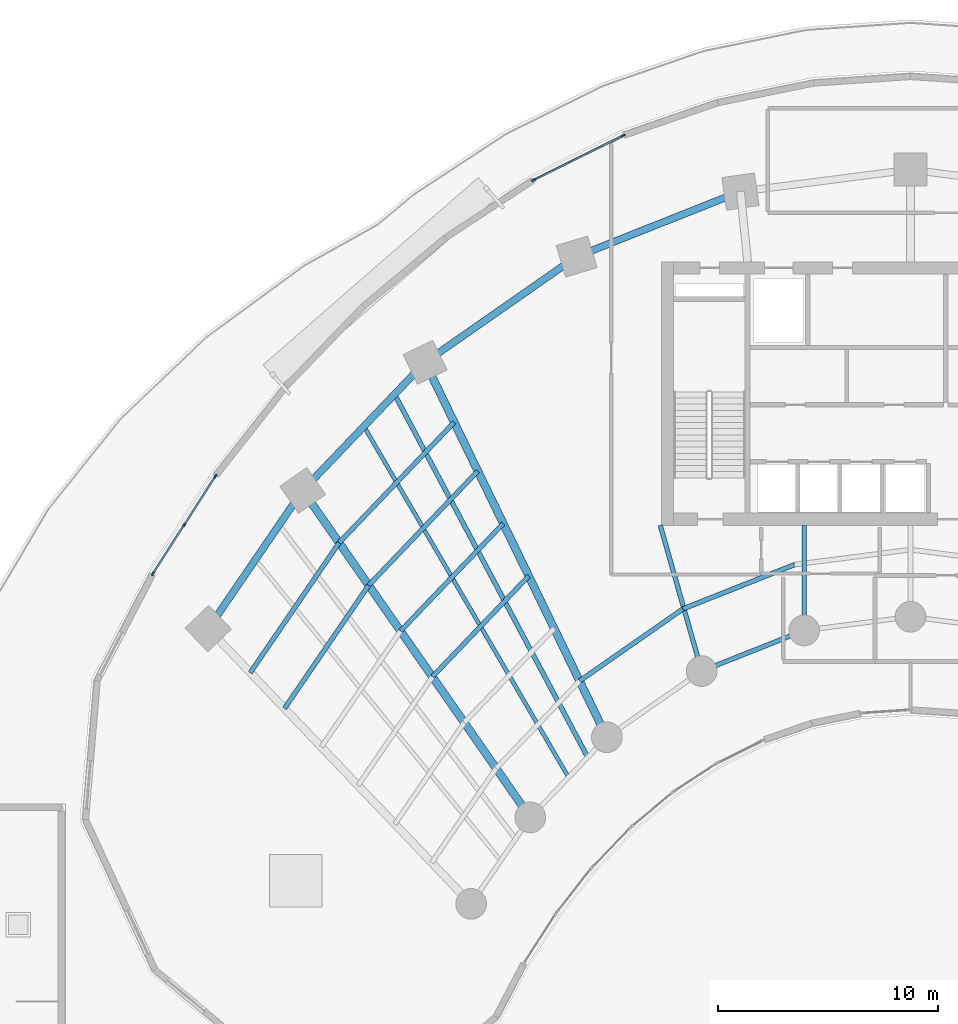
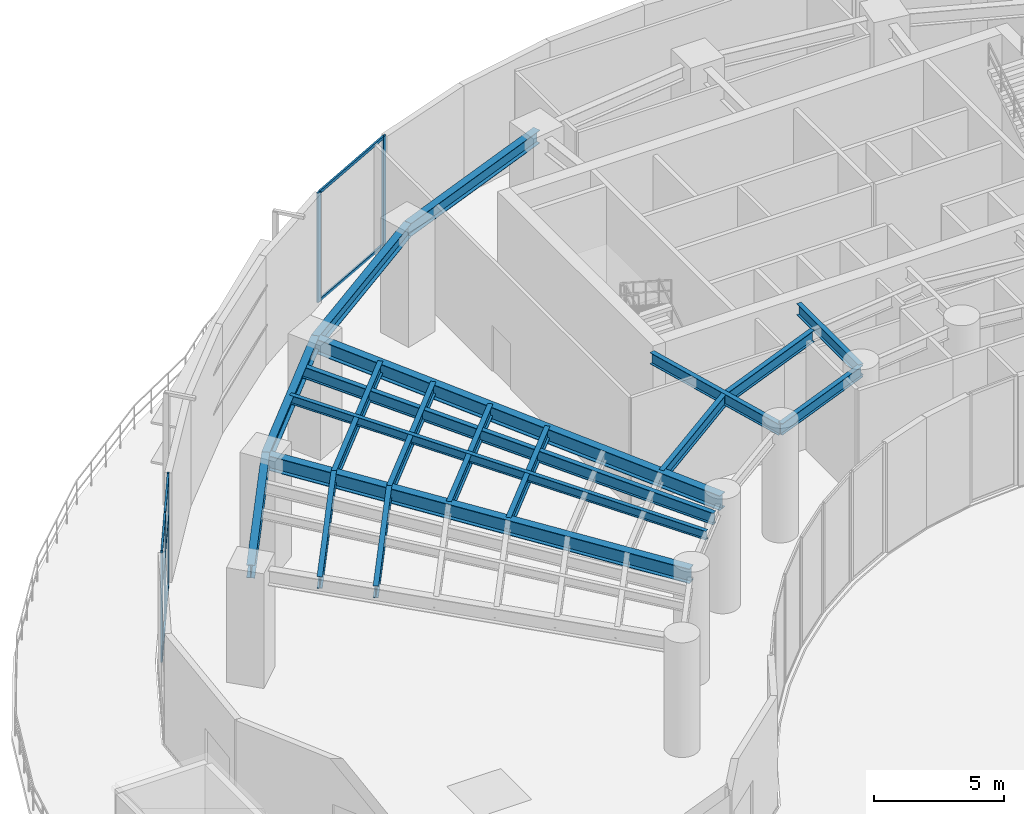
# One storey, part 4 of 17: 19 beams, 13 members, 2 elements without a shape of their own.
"""IFC4 building model written with IfcOpenShell, lengths in metres."""

from ifc_helpers import new_model, si_unit, direction, frame, origin, origin_2d, place, context, subcontext, project, spatial, rectangle, i_section, extrude, source, transform, mapped, material, layer, layer_set, material_profile, profile_set, type_object, type_shapes, element, aggregate, save


model = new_model("IFC4")

# Units and contexts
model_context = context("Model", 3, precision=1e-05, world=origin(), true_north=direction((0.0, 1.0)))
body_context = subcontext(model_context, "Body", "Model", "MODEL_VIEW")
ifc_project = project(units=[si_unit("LENGTHUNIT", "METRE"), si_unit("AREAUNIT", "SQUARE_METRE"), si_unit("VOLUMEUNIT", "CUBIC_METRE"), si_unit("PLANEANGLEUNIT", "RADIAN"), si_unit("MASSUNIT", "GRAM", prefix="KILO")], contexts=[model_context])

# Site, building, storey
site_placement = place(None, origin())
site = spatial("IfcSite", under=ifc_project, at=site_placement, CompositionType="ELEMENT")
building_placement = place(site_placement, origin())
building = spatial("IfcBuilding", under=site, at=building_placement, Name="Breltana Convention Tower", CompositionType="ELEMENT")
storey_placement = place(building_placement, frame((0.0, 0.0, 30.0)))
storey = spatial("IfcBuildingStorey", under=building, at=storey_placement, Name="L05", CompositionType="ELEMENT", Elevation=30.0)

# Beams
ifc_material_1 = material(Name="Steel ASTM A992 Grade 50", Category="steel")
ifc_material_profile_1 = material_profile(ifc_material_1, i_section(OverallWidth=0.323974609375, OverallDepth=0.611083984375, WebThickness=0.0126953125, FlangeThickness=0.01904296875, at=origin_2d()), Name="W24X104")
ifc_profile_set_1 = profile_set([ifc_material_profile_1], Name="Steel ASTM A992 Grade 50")
beam_type_1 = type_object("IfcBeamType", Name="BM-SP-W24X104", PredefinedType="SPANDREL", material=ifc_profile_set_1)
shared_shape_1 = source(origin(), body_context, "Body", "SweptSolid", [
    extrude(i_section(OverallWidth=0.323974609375, OverallDepth=0.611083984375, WebThickness=0.0126953125, FlangeThickness=0.01904296875, at=origin_2d()), origin(), (0.0, 0.0, 1.0), 7.625),
])
type_shapes(beam_type_1, [shared_shape_1])
beam_1_placement = place(storey_placement, frame((16.0068359375, 55.494384765625, 4.8544921875), z_axis=(0.564452031902, 0.825465870694, 0.0), x_axis=(-0.825465870694, 0.564452031902, 0.0)))
element("IfcBeam", 1, at=beam_1_placement, inside=storey, type_object=beam_type_1, Name="L05 Outer Spandrel Beam 01", PredefinedType="SPANDREL", context=body_context, shape_type="MappedRepresentation", body=[
    mapped(shared_shape_1, transform((0.0, 0.0, 0.0), scale=1.0)),
])
shared_shape_2 = source(origin(), body_context, "Body", "SweptSolid", [
    extrude(i_section(OverallWidth=0.323974609375, OverallDepth=0.611083984375, WebThickness=0.0126953125, FlangeThickness=0.01904296875, at=origin_2d()), origin(), (0.0, 0.0, 1.0), 8.073974609375),
])
beam_2_placement = place(storey_placement, frame((20.310791015625, 61.78857421875, 4.8544921875), z_axis=(0.69072885448, 0.723113856588, 0.0), x_axis=(-0.723113856588, 0.69072885448, 0.0)))
element("IfcBeam", 2, at=beam_2_placement, inside=storey, type_object=beam_type_1, Name="L05 Outer Spandrel Beam 02", PredefinedType="SPANDREL", context=body_context, shape_type="MappedRepresentation", body=[
    mapped(shared_shape_2, transform((0.0, 0.0, 0.0), scale=1.0)),
])
shared_shape_3 = source(origin(), body_context, "Body", "SweptSolid", [
    extrude(i_section(OverallWidth=0.323974609375, OverallDepth=0.611083984375, WebThickness=0.0126953125, FlangeThickness=0.01904296875, at=origin_2d()), origin(), (0.0, 0.0, 1.0), 8.4169921875),
])
beam_3_placement = place(storey_placement, frame((25.8876953125, 67.626953125, 4.8544921875), z_axis=(0.820173800102, 0.572114444519, 0.0), x_axis=(-0.572114444519, 0.820173800102, 0.0)))
element("IfcBeam", 3, at=beam_3_placement, inside=storey, type_object=beam_type_1, Name="L05 Outer Spandrel Beam 03", PredefinedType="SPANDREL", context=body_context, shape_type="MappedRepresentation", body=[
    mapped(shared_shape_3, transform((0.0, 0.0, 0.0), scale=1.0)),
])
shared_shape_4 = source(origin(), body_context, "Body", "SweptSolid", [
    extrude(i_section(OverallWidth=0.323974609375, OverallDepth=0.611083984375, WebThickness=0.0126953125, FlangeThickness=0.01904296875, at=origin_2d()), origin(), (0.0, 0.0, 1.0), 8.028564453125),
])
beam_4_placement = place(storey_placement, frame((32.791015625, 72.4423828125, 4.8544921875), z_axis=(0.929459100394, 0.368925169507, 0.0), x_axis=(-0.368925169507, 0.929459100394, 0.0)))
element("IfcBeam", 4, at=beam_4_placement, inside=storey, type_object=beam_type_1, Name="L05 Outer Spandrel Beam 04", PredefinedType="SPANDREL", context=body_context, shape_type="MappedRepresentation", body=[
    mapped(shared_shape_4, transform((0.0, 0.0, 0.0), scale=1.0)),
])
ifc_material_profile_2 = material_profile(ifc_material_1, i_section(OverallWidth=0.35498046875, OverallDepth=0.696044921875, WebThickness=0.015380859375, FlangeThickness=0.02490234375, at=origin_2d()), Name="W27X146")
ifc_profile_set_2 = profile_set([ifc_material_profile_2], Name="Steel ASTM A992 Grade 50")
beam_type_2 = type_object("IfcBeamType", Name="BM-RG-W27X146", PredefinedType="USERDEFINED", material=ifc_profile_set_2)
shared_shape_5 = source(origin(), body_context, "Body", "SweptSolid", [
    extrude(i_section(OverallWidth=0.35498046875, OverallDepth=0.696044921875, WebThickness=0.015380859375, FlangeThickness=0.02490234375, at=origin_2d()), origin(), (0.0, 0.0, 1.0), 18.1484375),
])
beam_5_placement = place(storey_placement, frame((30.67724609375, 46.892333984375, 4.81201171875), z_axis=(-0.571207556098, 0.820805657788, 0.0), x_axis=(-0.820805657788, -0.571207556098, 0.0)))
element("IfcBeam", 5, at=beam_5_placement, inside=storey, type_object=beam_type_2, Name="L05 Radial Floor Girder R02", ObjectType="GIRDER", PredefinedType="USERDEFINED", context=body_context, shape_type="MappedRepresentation", body=[
    mapped(shared_shape_5, transform((0.0, 0.0, 0.0), scale=1.0)),
])
shared_shape_6 = source(origin(), body_context, "Body", "SweptSolid", [
    extrude(i_section(OverallWidth=0.35498046875, OverallDepth=0.696044921875, WebThickness=0.015380859375, FlangeThickness=0.02490234375, at=origin_2d()), origin(), (0.0, 0.0, 1.0), 18.982421875),
])
beam_6_placement = place(storey_placement, frame((34.166259765625, 50.544921875, 4.81201171875), z_axis=(-0.436118560343, 0.89988921614, 0.0), x_axis=(-0.89988921614, -0.436118560343, 0.0)))
element("IfcBeam", 6, at=beam_6_placement, inside=storey, type_object=beam_type_2, Name="L05 Radial Floor Girder R03", ObjectType="GIRDER", PredefinedType="USERDEFINED", context=body_context, shape_type="MappedRepresentation", body=[
    mapped(shared_shape_6, transform((0.0, 0.0, 0.0), scale=1.0)),
])
ifc_material_profile_3 = material_profile(ifc_material_1, i_section(OverallWidth=0.2099609375, OverallDepth=0.537109375, WebThickness=0.010986328125, FlangeThickness=0.017333984375, at=origin_2d()), Name="W21X68")
ifc_profile_set_3 = profile_set([ifc_material_profile_3], Name="Steel ASTM A992 Grade 50")
beam_type_3 = type_object("IfcBeamType", Name="BM-BM-W21X68", PredefinedType="BEAM", material=ifc_profile_set_3)
shared_shape_7 = source(origin(), body_context, "Body", "SweptSolid", [
    extrude(i_section(OverallWidth=0.2099609375, OverallDepth=0.537109375, WebThickness=0.010986328125, FlangeThickness=0.017333984375, at=origin_2d()), origin(), (0.0, 0.0, 1.0), 6.904541015625),
])
type_shapes(beam_type_3, [shared_shape_7])
beam_7_placement = place(storey_placement, frame((36.60009765625, 60.199951171875, 4.8916015625), z_axis=(0.273006781054, -0.962012108811, 0.0), x_axis=(0.962012108811, 0.273006781054, 0.0)))
element("IfcBeam", 7, at=beam_7_placement, inside=storey, type_object=beam_type_3, Name="L05 South Core Tie Girder R04", PredefinedType="BEAM", context=body_context, shape_type="MappedRepresentation", body=[
    mapped(shared_shape_7, transform((0.0, 0.0, 0.0), scale=1.0)),
])
shared_shape_8 = source(origin(), body_context, "Body", "SweptSolid", [
    extrude(i_section(OverallWidth=0.2099609375, OverallDepth=0.537109375, WebThickness=0.010986328125, FlangeThickness=0.017333984375, at=origin_2d()), origin(), (0.0, 0.0, 1.0), 4.789306640625),
])
beam_8_placement = place(storey_placement, frame((43.153564453125, 60.199951171875, 4.8916015625), z_axis=(0.0, -1.0, 0.0), x_axis=(1.0, 0.0, 0.0)))
element("IfcBeam", 8, at=beam_8_placement, inside=storey, type_object=beam_type_3, Name="L05 South Core Tie Girder R05", PredefinedType="BEAM", context=body_context, shape_type="MappedRepresentation", body=[
    mapped(shared_shape_8, transform((0.0, 0.0, 0.0), scale=1.0)),
])
ifc_material_profile_4 = material_profile(ifc_material_1, i_section(OverallWidth=0.214111328125, OverallDepth=0.549072265625, WebThickness=0.0146484375, FlangeThickness=0.023681640625, at=origin_2d()), Name="W21X93")
ifc_profile_set_4 = profile_set([ifc_material_profile_4], Name="Steel ASTM A992 Grade 50")
beam_type_4 = type_object("IfcBeamType", Name="BM-JSG-03", PredefinedType="JOIST", material=ifc_profile_set_4)
shared_shape_9 = source(origin(), body_context, "Body", "SweptSolid", [
    extrude(i_section(OverallWidth=0.214111328125, OverallDepth=0.549072265625, WebThickness=0.0146484375, FlangeThickness=0.023681640625, at=origin_2d()), origin(), (0.0, 0.0, 1.0), 6.79736328125),
])
beam_9_placement = place(storey_placement, frame((19.480224609375, 51.85791015625, 4.885498046875), z_axis=(0.564475306504, 0.825449955083, 0.0), x_axis=(-0.825449955083, 0.564475306504, 0.0)))
element("IfcBeam", 9, at=beam_9_placement, inside=storey, type_object=beam_type_4, Name="L05 Composite Floor Joist 01.5", PredefinedType="JOIST", context=body_context, shape_type="MappedRepresentation", body=[
    mapped(shared_shape_9, transform((0.0, 0.0, 0.0), scale=1.0)),
])
shared_shape_10 = source(origin(), body_context, "Body", "SweptSolid", [
    extrude(i_section(OverallWidth=0.214111328125, OverallDepth=0.549072265625, WebThickness=0.0146484375, FlangeThickness=0.023681640625, at=origin_2d()), origin(), (0.0, 0.0, 1.0), 7.16845703125),
])
beam_10_placement = place(storey_placement, frame((17.923095703125, 53.488037109375, 4.885498046875), z_axis=(0.564470233585, 0.825453424123, 0.0), x_axis=(-0.825453424123, 0.564470233585, 0.0)))
element("IfcBeam", 10, at=beam_10_placement, inside=storey, type_object=beam_type_4, Name="L05 Composite Floor Joist 01.6", PredefinedType="JOIST", context=body_context, shape_type="MappedRepresentation", body=[
    mapped(shared_shape_10, transform((0.0, 0.0, 0.0), scale=1.0)),
])
shared_shape_11 = source(origin(), body_context, "Body", "SweptSolid", [
    extrude(i_section(OverallWidth=0.214111328125, OverallDepth=0.549072265625, WebThickness=0.0146484375, FlangeThickness=0.023681640625, at=origin_2d()), origin(), (0.0, 0.0, 1.0), 6.35107421875),
])
beam_11_placement = place(storey_placement, frame((26.2197265625, 53.2978515625, 4.885498046875), z_axis=(0.69071799369, 0.723124230816, 0.0), x_axis=(-0.723124230816, 0.69071799369, 0.0)))
element("IfcBeam", 11, at=beam_11_placement, inside=storey, type_object=beam_type_4, Name="L05 Composite Floor Joist 02.3", PredefinedType="JOIST", context=body_context, shape_type="MappedRepresentation", body=[
    mapped(shared_shape_11, transform((0.0, 0.0, 0.0), scale=1.0)),
])
shared_shape_12 = source(origin(), body_context, "Body", "SweptSolid", [
    extrude(i_section(OverallWidth=0.214111328125, OverallDepth=0.549072265625, WebThickness=0.0146484375, FlangeThickness=0.023681640625, at=origin_2d()), origin(), (0.0, 0.0, 1.0), 6.774169921875),
])
beam_12_placement = place(storey_placement, frame((24.768310546875, 55.38330078125, 4.885498046875), z_axis=(0.690739707184, 0.723103489771, 0.0), x_axis=(-0.723103489771, 0.690739707184, 0.0)))
element("IfcBeam", 12, at=beam_12_placement, inside=storey, type_object=beam_type_4, Name="L05 Composite Floor Joist 02.4", PredefinedType="JOIST", context=body_context, shape_type="MappedRepresentation", body=[
    mapped(shared_shape_12, transform((0.0, 0.0, 0.0), scale=1.0)),
])
shared_shape_13 = source(origin(), body_context, "Body", "SweptSolid", [
    extrude(i_section(OverallWidth=0.214111328125, OverallDepth=0.549072265625, WebThickness=0.0146484375, FlangeThickness=0.023681640625, at=origin_2d()), origin(), (0.0, 0.0, 1.0), 7.197265625),
])
beam_13_placement = place(storey_placement, frame((23.317138671875, 57.46875, 4.885498046875), z_axis=(0.690741130438, 0.723102130214, 0.0), x_axis=(-0.723102130214, 0.690741130438, 0.0)))
element("IfcBeam", 13, at=beam_13_placement, inside=storey, type_object=beam_type_4, Name="L05 Composite Floor Joist 02.5", PredefinedType="JOIST", context=body_context, shape_type="MappedRepresentation", body=[
    mapped(shared_shape_13, transform((0.0, 0.0, 0.0), scale=1.0)),
])
shared_shape_14 = source(origin(), body_context, "Body", "SweptSolid", [
    extrude(i_section(OverallWidth=0.214111328125, OverallDepth=0.549072265625, WebThickness=0.0146484375, FlangeThickness=0.023681640625, at=origin_2d()), origin(), (0.0, 0.0, 1.0), 7.59033203125),
])
beam_14_placement = place(storey_placement, frame((21.969482421875, 59.4052734375, 4.885498046875), z_axis=(0.690742686271, 0.723100644007, 0.0), x_axis=(-0.723100644007, 0.690742686271, 0.0)))
element("IfcBeam", 14, at=beam_14_placement, inside=storey, type_object=beam_type_4, Name="L05 Composite Floor Joist 02.6", PredefinedType="JOIST", context=body_context, shape_type="MappedRepresentation", body=[
    mapped(shared_shape_14, transform((0.0, 0.0, 0.0), scale=1.0)),
])
ifc_material_profile_5 = material_profile(ifc_material_1, i_section(OverallWidth=0.179931640625, OverallDepth=0.4130859375, WebThickness=0.009765625, FlangeThickness=0.01611328125, at=origin_2d()), Name="W16X50")
ifc_profile_set_5 = profile_set([ifc_material_profile_5], Name="Steel ASTM A992 Grade 50")
beam_type_5 = type_object("IfcBeamType", Name="BM-JSG-08", PredefinedType="JOIST", material=ifc_profile_set_5)
shared_shape_15 = source(origin(), body_context, "Body", "SweptSolid", [
    extrude(i_section(OverallWidth=0.179931640625, OverallDepth=0.4130859375, WebThickness=0.009765625, FlangeThickness=0.01611328125, at=origin_2d()), origin(), (0.0, 0.0, 1.0), 18.50830078125),
])
beam_15_placement = place(storey_placement, frame((32.421630859375, 48.71875, 4.95361328125), z_axis=(-0.50368319637, 0.863888440537, 0.0), x_axis=(-0.863888440537, -0.50368319637, 0.0)))
element("IfcBeam", 15, at=beam_15_placement, inside=storey, type_object=beam_type_5, Name="L05 Mid-Bay Radial Trimmer 02", PredefinedType="JOIST", context=body_context, shape_type="MappedRepresentation", body=[
    mapped(shared_shape_15, transform((0.0, 0.0, 0.0), scale=1.0)),
])
shared_shape_16 = source(origin(), body_context, "Body", "SweptSolid", [
    extrude(i_section(OverallWidth=0.214111328125, OverallDepth=0.549072265625, WebThickness=0.0146484375, FlangeThickness=0.023681640625, at=origin_2d()), origin(), (0.0, 0.0, 1.0), 18.731689453125),
])
beam_16_placement = place(storey_placement, frame((33.2939453125, 49.6318359375, 4.885498046875), z_axis=(-0.469820250451, 0.882762104004, 0.0), x_axis=(-0.882762104004, -0.469820250451, 0.0)))
element("IfcBeam", 16, at=beam_16_placement, inside=storey, type_object=beam_type_4, Name="L05 Quarter-Bay Radial Trimmer 02", PredefinedType="JOIST", context=body_context, shape_type="MappedRepresentation", body=[
    mapped(shared_shape_16, transform((0.0, 0.0, 0.0), scale=1.0)),
])
shared_shape_17 = source(origin(), body_context, "Body", "SweptSolid", [
    extrude(i_section(OverallWidth=0.214111328125, OverallDepth=0.549072265625, WebThickness=0.0146484375, FlangeThickness=0.023681640625, at=origin_2d()), origin(), (0.0, 0.0, 1.0), 5.738525390625),
])
beam_17_placement = place(storey_placement, frame((32.92431640625, 53.107421875, 4.885498046875), z_axis=(0.820182201694, 0.572102399947, 0.0), x_axis=(-0.572102399947, 0.820182201694, 0.0)))
element("IfcBeam", 17, at=beam_17_placement, inside=storey, type_object=beam_type_4, Name="L05 Composite Floor Joist 03.1", PredefinedType="JOIST", context=body_context, shape_type="MappedRepresentation", body=[
    mapped(shared_shape_17, transform((0.0, 0.0, 0.0), scale=1.0)),
])
shared_shape_18 = source(origin(), body_context, "Body", "SweptSolid", [
    extrude(i_section(OverallWidth=0.2099609375, OverallDepth=0.537109375, WebThickness=0.010986328125, FlangeThickness=0.017333984375, at=origin_2d()), origin(), (0.0, 0.0, 1.0), 5.022705078125),
])
beam_18_placement = place(storey_placement, frame((38.485107421875, 53.5576171875, 4.8916015625), z_axis=(0.929458966248, 0.368925507469, 0.0), x_axis=(-0.368925507469, 0.929458966248, 0.0)))
element("IfcBeam", 18, at=beam_18_placement, inside=storey, type_object=beam_type_3, Name="L05 Inner Ring Beam 04", PredefinedType="BEAM", context=body_context, shape_type="MappedRepresentation", body=[
    mapped(shared_shape_18, transform((0.0, 0.0, 0.0), scale=1.0)),
])
shared_shape_19 = source(origin(), body_context, "Body", "SweptSolid", [
    extrude(i_section(OverallWidth=0.214111328125, OverallDepth=0.549072265625, WebThickness=0.0146484375, FlangeThickness=0.023681640625, at=origin_2d()), origin(), (0.0, 0.0, 1.0), 5.473876953125),
])
beam_19_placement = place(storey_placement, frame((37.630859375, 56.390380859375, 4.885498046875), z_axis=(0.92945162863, 0.368943993091, 0.0), x_axis=(-0.368943993091, 0.92945162863, 0.0)))
element("IfcBeam", 19, at=beam_19_placement, inside=storey, type_object=beam_type_4, Name="L05 Composite Floor Joist 04.1", PredefinedType="JOIST", context=body_context, shape_type="MappedRepresentation", body=[
    mapped(shared_shape_19, transform((0.0, 0.0, 0.0), scale=1.0)),
])

# Curtain wall, members
ifc_material_2 = material(Name="Aluminium Anodised Bronze Frame", Category="aluminium")
ifc_layer = layer(ifc_material_2, 0.239990234375, Name="Aluminium Anodised Bronze Frame")
ifc_layer_set = layer_set([ifc_layer], Name="Aluminium Anodised Bronze Frame")
curtain_wall_type = type_object("IfcCurtainWallType", Name="CW-SYS-6", PredefinedType="NOTDEFINED", material=ifc_layer_set)
curtain_wall_1_placement = place(storey_placement, origin())
curtain_wall_1 = element("IfcCurtainWall", 20, at=curtain_wall_1_placement, inside=storey, type_object=curtain_wall_type, Name="L05 outer double-skin inner glazing 1", PredefinedType="NOTDEFINED")
ifc_material_3 = material(Name="Aluminium Anodised Bronze", Category="aluminium")
ifc_material_profile_6 = material_profile(ifc_material_3, rectangle(XDim=0.080078125, YDim=0.199951171875, at=origin_2d()), Name="CWM-80X200")
ifc_profile_set_6 = profile_set([ifc_material_profile_6], Name="Aluminium Anodised Bronze")
member_type_1 = type_object("IfcMemberType", Name="CWM-200", PredefinedType="MULLION", material=ifc_profile_set_6)
shared_shape_20 = source(origin(), body_context, "Body", "SweptSolid", [
    extrude(rectangle(XDim=0.080078125, YDim=0.199951171875, at=origin_2d()), origin(), (0.0, 0.0, 1.0), 5.159912109375),
])
type_shapes(member_type_1, [shared_shape_20])
member_1_placement = place(storey_placement, frame((13.48974609375, 57.998046875, 0.0), z_axis=(0.0, 0.0, 1.0), x_axis=(-0.841549039154, 0.540180724109, 0.0)))
member_1 = element("IfcMember", 21, at=member_1_placement, type_object=member_type_1, Name="CW-06 mullion 1", PredefinedType="MULLION", context=body_context, shape_type="MappedRepresentation", body=[
    mapped(shared_shape_20, transform((0.0, 0.0, 0.0), scale=1.0)),
])
member_2_placement = place(storey_placement, frame((14.911865234375, 60.2138671875, 0.0), z_axis=(0.0, 0.0, 1.0), x_axis=(-0.841549039154, 0.540180724109, 0.0)))
member_2 = element("IfcMember", 22, at=member_2_placement, type_object=member_type_1, Name="CW-06 mullion 2", PredefinedType="MULLION", context=body_context, shape_type="MappedRepresentation", body=[
    mapped(shared_shape_20, transform((0.0, 0.0, 0.0), scale=1.0)),
])
member_3_placement = place(storey_placement, frame((16.333984375, 62.429443359375, 0.0), z_axis=(0.0, 0.0, 1.0), x_axis=(-0.841549039154, 0.540180724109, 0.0)))
member_3 = element("IfcMember", 23, at=member_3_placement, type_object=member_type_1, Name="CW-06 mullion 3", PredefinedType="MULLION", context=body_context, shape_type="MappedRepresentation", body=[
    mapped(shared_shape_20, transform((0.0, 0.0, 0.0), scale=1.0)),
])

curtain_wall_2_placement = place(storey_placement, origin())
curtain_wall_2 = element("IfcCurtainWall", 24, at=curtain_wall_2_placement, inside=storey, type_object=curtain_wall_type, Name="L05 outer double-skin inner glazing 2", PredefinedType="NOTDEFINED")
member_4_placement = place(storey_placement, frame((30.83154296875, 75.930419921875, 0.0), z_axis=(0.0, 0.0, 1.0), x_axis=(-0.444107703726, 0.895973407804, 0.0)))
member_4 = element("IfcMember", 25, at=member_4_placement, type_object=member_type_1, Name="CW-06 mullion 1", PredefinedType="MULLION", context=body_context, shape_type="MappedRepresentation", body=[
    mapped(shared_shape_20, transform((0.0, 0.0, 0.0), scale=1.0)),
])
member_5_placement = place(storey_placement, frame((34.906005859375, 77.949951171875, 0.0), z_axis=(0.0, 0.0, 1.0), x_axis=(-0.444107703726, 0.895973407804, 0.0)))
member_5 = element("IfcMember", 26, at=member_5_placement, type_object=member_type_1, Name="CW-06 mullion 2", PredefinedType="MULLION", context=body_context, shape_type="MappedRepresentation", body=[
    mapped(shared_shape_20, transform((0.0, 0.0, 0.0), scale=1.0)),
])

# Member
ifc_material_profile_7 = material_profile(ifc_material_3, rectangle(XDim=0.080078125, YDim=0.139892578125, at=origin_2d()), Name="CWT-80X140")
ifc_profile_set_7 = profile_set([ifc_material_profile_7], Name="Aluminium Anodised Bronze")
member_type_2 = type_object("IfcMemberType", Name="CWT-140", PredefinedType="USERDEFINED", material=ifc_profile_set_7)
shared_shape_21 = source(origin(), body_context, "Body", "SweptSolid", [
    extrude(rectangle(XDim=0.080078125, YDim=0.139892578125, at=origin_2d()), origin(), (0.0, 0.0, 1.0), 2.552978515625),
])
member_6_placement = place(storey_placement, frame((13.51123046875, 58.03173828125, 0.0400390625), z_axis=(0.540206488324, 0.841532500841, 0.0), x_axis=(-0.841532500841, 0.540206488324, 0.0)))
member_6 = element("IfcMember", 27, at=member_6_placement, type_object=member_type_2, Name="CW-06 transom 1.1", ObjectType="TRANSOM", PredefinedType="USERDEFINED", context=body_context, shape_type="MappedRepresentation", body=[
    mapped(shared_shape_21, transform((0.0, 0.0, 0.0), scale=1.0)),
])

member_7_placement = place(storey_placement, frame((13.51123046875, 58.03173828125, 3.35400390625), z_axis=(0.540206488324, 0.841532500841, 0.0), x_axis=(-0.841532500841, 0.540206488324, 0.0)))
member_7 = element("IfcMember", 28, at=member_7_placement, type_object=member_type_2, Name="CW-06 transom 1.2", ObjectType="TRANSOM", PredefinedType="USERDEFINED", context=body_context, shape_type="MappedRepresentation", body=[
    mapped(shared_shape_21, transform((0.0, 0.0, 0.0), scale=1.0)),
])

member_8_placement = place(storey_placement, frame((13.51123046875, 58.03173828125, 5.1201171875), z_axis=(0.540206488324, 0.841532500841, 0.0), x_axis=(-0.841532500841, 0.540206488324, 0.0)))
member_8 = element("IfcMember", 29, at=member_8_placement, type_object=member_type_2, Name="CW-06 transom 1.3", ObjectType="TRANSOM", PredefinedType="USERDEFINED", context=body_context, shape_type="MappedRepresentation", body=[
    mapped(shared_shape_21, transform((0.0, 0.0, 0.0), scale=1.0)),
])

shared_shape_22 = source(origin(), body_context, "Body", "SweptSolid", [
    extrude(rectangle(XDim=0.080078125, YDim=0.139892578125, at=origin_2d()), origin(), (0.0, 0.0, 1.0), 2.552734375),
])
member_9_placement = place(storey_placement, frame((14.93359375, 60.24755859375, 0.0400390625), z_axis=(0.540182235789, 0.841548068822, 0.0), x_axis=(-0.841548068822, 0.540182235789, 0.0)))
member_9 = element("IfcMember", 30, at=member_9_placement, type_object=member_type_2, Name="CW-06 transom 2.1", ObjectType="TRANSOM", PredefinedType="USERDEFINED", context=body_context, shape_type="MappedRepresentation", body=[
    mapped(shared_shape_22, transform((0.0, 0.0, 0.0), scale=1.0)),
])

member_10_placement = place(storey_placement, frame((14.93359375, 60.24755859375, 3.35400390625), z_axis=(0.540182235789, 0.841548068822, 0.0), x_axis=(-0.841548068822, 0.540182235789, 0.0)))
member_10 = element("IfcMember", 31, at=member_10_placement, type_object=member_type_2, Name="CW-06 transom 2.2", ObjectType="TRANSOM", PredefinedType="USERDEFINED", context=body_context, shape_type="MappedRepresentation", body=[
    mapped(shared_shape_22, transform((0.0, 0.0, 0.0), scale=1.0)),
])

member_11_placement = place(storey_placement, frame((14.93359375, 60.24755859375, 5.1201171875), z_axis=(0.540182235789, 0.841548068822, 0.0), x_axis=(-0.841548068822, 0.540182235789, 0.0)))
member_11 = element("IfcMember", 32, at=member_11_placement, type_object=member_type_2, Name="CW-06 transom 2.3", ObjectType="TRANSOM", PredefinedType="USERDEFINED", context=body_context, shape_type="MappedRepresentation", body=[
    mapped(shared_shape_22, transform((0.0, 0.0, 0.0), scale=1.0)),
])

aggregate(curtain_wall_1, [member_1, member_2, member_3, member_6, member_7, member_8, member_9, member_10, member_11])

shared_shape_23 = source(origin(), body_context, "Body", "SweptSolid", [
    extrude(rectangle(XDim=0.080078125, YDim=0.139892578125, at=origin_2d()), origin(), (0.0, 0.0, 1.0), 4.467529296875),
])
member_12_placement = place(storey_placement, frame((30.867431640625, 75.9482421875, 0.0400390625), z_axis=(0.895962969519, 0.444128762018, 0.0), x_axis=(-0.444128762018, 0.895962969519, 0.0)))
member_12 = element("IfcMember", 33, at=member_12_placement, type_object=member_type_2, Name="CW-06 transom 1.1", ObjectType="TRANSOM", PredefinedType="USERDEFINED", context=body_context, shape_type="MappedRepresentation", body=[
    mapped(shared_shape_23, transform((0.0, 0.0, 0.0), scale=1.0)),
])

member_13_placement = place(storey_placement, frame((30.867431640625, 75.9482421875, 5.1201171875), z_axis=(0.895962969519, 0.444128762018, 0.0), x_axis=(-0.444128762018, 0.895962969519, 0.0)))
member_13 = element("IfcMember", 34, at=member_13_placement, type_object=member_type_2, Name="CW-06 transom 1.2", ObjectType="TRANSOM", PredefinedType="USERDEFINED", context=body_context, shape_type="MappedRepresentation", body=[
    mapped(shared_shape_23, transform((0.0, 0.0, 0.0), scale=1.0)),
])

aggregate(curtain_wall_2, [member_4, member_5, member_12, member_13])

save(model, "model.ifc")
